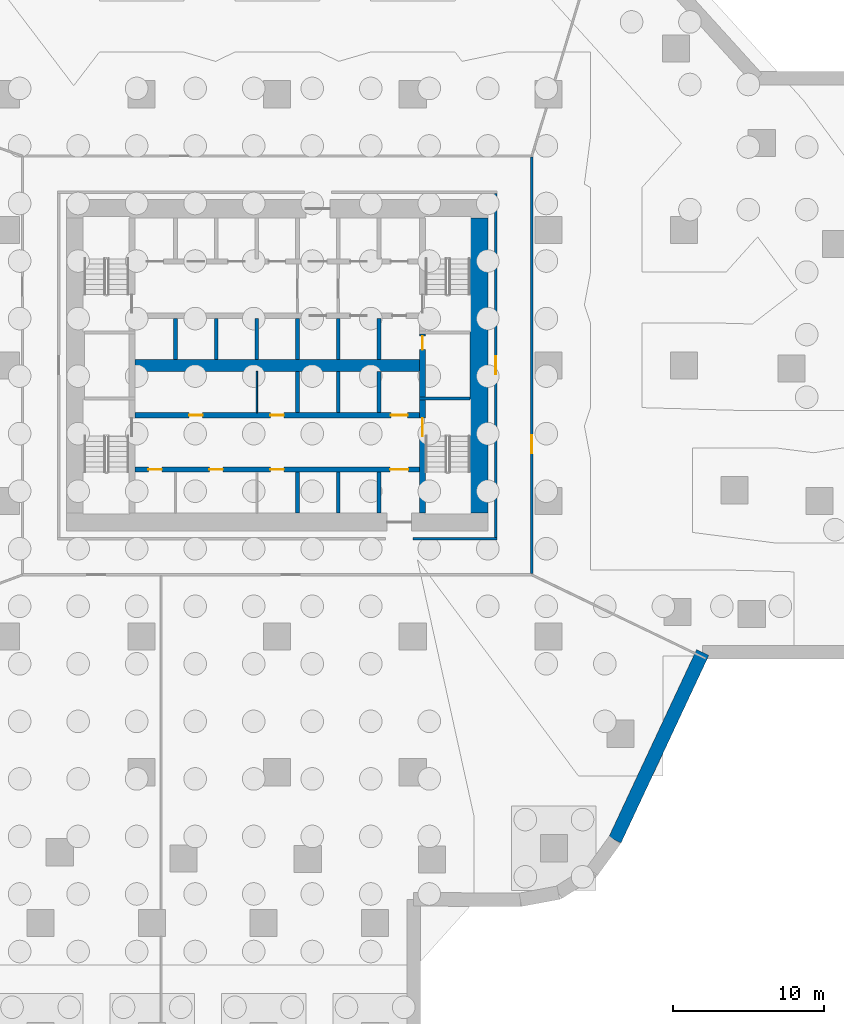
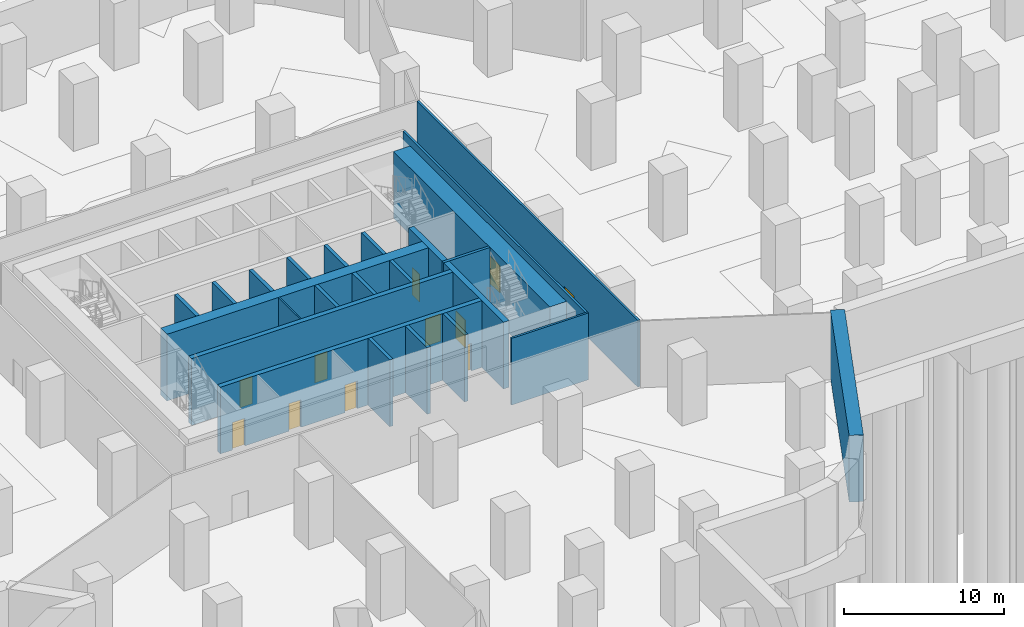
# One storey, part 7 of 12: 24 walls, 11 doors, 11 openings.
"""IFC4 building model written with IfcOpenShell, lengths in metres."""

from ifc_helpers import new_model, si_unit, direction, frame, frame_2d, origin, place, context, subcontext, project, spatial, rectangle, extrude, material, layer, layer_set, type_object, element, fill, save


model = new_model("IFC4")

# Units and contexts
model_context = context("Model", 3, precision=1e-05, world=origin(), true_north=direction((0.0, 1.0)))
body_context = subcontext(model_context, "Body", "Model", "MODEL_VIEW")
ifc_project = project(units=[si_unit("LENGTHUNIT", "METRE"), si_unit("AREAUNIT", "SQUARE_METRE"), si_unit("VOLUMEUNIT", "CUBIC_METRE"), si_unit("PLANEANGLEUNIT", "RADIAN"), si_unit("MASSUNIT", "GRAM", prefix="KILO")], contexts=[model_context])

# Site, building, storey
site_placement = place(None, origin())
site = spatial("IfcSite", under=ifc_project, at=site_placement, CompositionType="ELEMENT")
building_placement = place(site_placement, origin())
building = spatial("IfcBuilding", under=site, at=building_placement, Name="Dongbaek Canopy Tower", CompositionType="ELEMENT")
storey_placement = place(building_placement, frame((0.0, 0.0, -17.0)))
storey = spatial("IfcBuildingStorey", under=building, at=storey_placement, Name="B3", CompositionType="ELEMENT", Elevation=-17.0)

# Wall
ifc_material_1 = material(Name="Concrete C60/75", Category="concrete")
ifc_layer_1 = layer(ifc_material_1, 0.800048828125)
ifc_layer_set_1 = layer_set([ifc_layer_1], Name="Core central wall 800 Concrete C60/75")
wall_type_1 = type_object("IfcWallType", Name="Core central wall 800 Concrete C60/75", PredefinedType="SHEAR", material=ifc_layer_set_1)
wall_1_placement = place(storey_placement, frame((-9.449951171875, 0.0, 0.0), z_axis=(0.0, 0.0, 1.0), x_axis=(1.0, 0.0, 0.0)))
element("IfcWall", 1, at=wall_1_placement, inside=storey, type_object=wall_type_1, Name="Core wall", PredefinedType="SHEAR", context=body_context, shape_type="SweptSolid", body=[
    extrude(rectangle(XDim=18.89990234375, YDim=0.800048828125, at=frame_2d((9.449951171875, 0.0))), origin(), (0.0, 0.0, 1.0), 5.10009765625),
])

# Wall, openings, doors
ifc_material_2 = material(Name="Concrete C60/75", Category="concrete")
ifc_layer_2 = layer(ifc_material_2, 0.35009765625)
ifc_layer_set_2 = layer_set([ifc_layer_2], Name="Core lobby wall 350 Concrete C60/75")
wall_type_2 = type_object("IfcWallType", Name="Core lobby wall 350 Concrete C60/75", PredefinedType="SHEAR", material=ifc_layer_set_2)
wall_2_placement = place(storey_placement, frame((-9.449951171875, -3.300048828125, 0.0), z_axis=(0.0, 0.0, 1.0), x_axis=(1.0, 0.0, 0.0)))
wall_2 = element("IfcWall", 2, at=wall_2_placement, inside=storey, type_object=wall_type_2, Name="Core wall", PredefinedType="SHEAR", context=body_context, shape_type="SweptSolid", body=[
    extrude(rectangle(XDim=18.89990234375, YDim=0.35009765625, at=frame_2d((9.449951171875, 0.0))), origin(), (0.0, 0.0, 1.0), 5.10009765625),
])
opening_1_placement = place(wall_2_placement, frame((17.0, 0.0, 0.0)))
opening_1 = element("IfcOpeningElement", 3, at=opening_1_placement, cuts=wall_2, Name="Opening B3-D020", PredefinedType="OPENING", context=body_context, shape_type="SweptSolid", body=[
    extrude(rectangle(XDim=1.10009765625, YDim=2.10009765625, at=frame_2d((0.550048828125, 1.050048828125))), frame((0.0, 0.18505859375, 0.0), z_axis=(0.0, -1.0, 0.0), x_axis=(1.0, 0.0, 0.0)), (0.0, 0.0, 1.0), 0.3701171875),
])
opening_2_placement = place(wall_2_placement, frame((3.60009765625, 0.0, 0.0)))
opening_2 = element("IfcOpeningElement", 4, at=opening_2_placement, cuts=wall_2, Name="Opening B3-D023", PredefinedType="OPENING", context=body_context, shape_type="SweptSolid", body=[
    extrude(rectangle(XDim=0.89990234375, YDim=2.10009765625, at=frame_2d((0.449951171875, 1.050048828125))), frame((0.0, 0.18505859375, 0.0), z_axis=(0.0, -1.0, 0.0), x_axis=(1.0, 0.0, 0.0)), (0.0, 0.0, 1.0), 0.3701171875),
])
opening_3_placement = place(wall_2_placement, frame((9.0, 0.0, 0.0)))
opening_3 = element("IfcOpeningElement", 5, at=opening_3_placement, cuts=wall_2, Name="Opening B3-D024", PredefinedType="OPENING", context=body_context, shape_type="SweptSolid", body=[
    extrude(rectangle(XDim=0.89990234375, YDim=2.10009765625, at=frame_2d((0.449951171875, 1.050048828125))), frame((0.0, 0.18505859375, 0.0), z_axis=(0.0, -1.0, 0.0), x_axis=(1.0, 0.0, 0.0)), (0.0, 0.0, 1.0), 0.3701171875),
])
ifc_material_3 = material(Name="Steel", Category="steel")
door_type_1 = type_object("IfcDoorType", Name="Core room door 900 x 2100", OperationType="SINGLE_SWING_LEFT", PredefinedType="DOOR", material=ifc_material_3)
door_1_placement = place(opening_2_placement, origin())
door_1 = element("IfcDoor", 6, at=door_1_placement, inside=storey, type_object=door_type_1, Name="Door B3-D023", OperationType="SINGLE_SWING_RIGHT", OverallHeight=2.10009765625, OverallWidth=0.89990234375, PredefinedType="DOOR", context=body_context, shape_type="SweptSolid", body=[
    extrude(rectangle(XDim=0.89990234375, YDim=2.10009765625, at=frame_2d((0.449951171875, 1.050048828125))), frame((0.0, 0.02490234375, 0.0), z_axis=(0.0, -1.0, 0.0), x_axis=(1.0, 0.0, 0.0)), (0.0, 0.0, 1.0), 0.050048828125),
])
fill(opening_2, door_1)
door_2_placement = place(opening_3_placement, origin())
door_2 = element("IfcDoor", 7, at=door_2_placement, inside=storey, type_object=door_type_1, Name="Door B3-D024", OperationType="SINGLE_SWING_LEFT", OverallHeight=2.10009765625, OverallWidth=0.89990234375, PredefinedType="DOOR", context=body_context, shape_type="SweptSolid", body=[
    extrude(rectangle(XDim=0.89990234375, YDim=2.10009765625, at=frame_2d((0.449951171875, 1.050048828125))), frame((0.0, 0.02490234375, 0.0), z_axis=(0.0, -1.0, 0.0), x_axis=(1.0, 0.0, 0.0)), (0.0, 0.0, 1.0), 0.050048828125),
])
fill(opening_3, door_2)
ifc_material_4 = material(Name="Stainless steel", Category="steel")
door_type_2 = type_object("IfcDoorType", Name="Lift landing door 1100 x 2100", OperationType="DOUBLE_DOOR_SLIDING", PredefinedType="DOOR", material=ifc_material_4)
door_3_placement = place(opening_1_placement, origin())
door_3 = element("IfcDoor", 8, at=door_3_placement, inside=storey, type_object=door_type_2, Name="Landing door SV2", OperationType="DOUBLE_DOOR_SLIDING", OverallHeight=2.10009765625, OverallWidth=1.10009765625, PredefinedType="DOOR", context=body_context, shape_type="SweptSolid", body=[
    extrude(rectangle(XDim=1.10009765625, YDim=2.10009765625, at=frame_2d((0.550048828125, 1.050048828125))), frame((0.0, 0.02490234375, 0.0), z_axis=(0.0, -1.0, 0.0), x_axis=(1.0, 0.0, 0.0)), (0.0, 0.0, 1.0), 0.050048828125),
])
fill(opening_1, door_3)

wall_3_placement = place(storey_placement, frame((9.449951171875, -6.89990234375, 0.0), z_axis=(0.0, 0.0, 1.0), x_axis=(-1.0, 0.0, 0.0)))
wall_3 = element("IfcWall", 9, at=wall_3_placement, inside=storey, type_object=wall_type_2, Name="Core wall", PredefinedType="SHEAR", context=body_context, shape_type="SweptSolid", body=[
    extrude(rectangle(XDim=18.89990234375, YDim=0.35009765625, at=frame_2d((9.449951171875, 0.0))), origin(), (0.0, 0.0, 1.0), 5.10009765625),
])
opening_4_placement = place(wall_3_placement, frame((0.75, 0.0, 0.0)))
opening_4 = element("IfcOpeningElement", 10, at=opening_4_placement, cuts=wall_3, Name="Opening B3-D022", PredefinedType="OPENING", context=body_context, shape_type="SweptSolid", body=[
    extrude(rectangle(XDim=1.199951171875, YDim=2.10009765625, at=frame_2d((0.60009765625, 1.050048828125))), frame((0.0, 0.18505859375, 0.0), z_axis=(0.0, -1.0, 0.0), x_axis=(1.0, 0.0, 0.0)), (0.0, 0.0, 1.0), 0.3701171875),
])
opening_5_placement = place(wall_3_placement, frame((17.10009765625, 0.0, 0.0)))
opening_5 = element("IfcOpeningElement", 11, at=opening_5_placement, cuts=wall_3, Name="Opening B3-D025", PredefinedType="OPENING", context=body_context, shape_type="SweptSolid", body=[
    extrude(rectangle(XDim=0.89990234375, YDim=2.10009765625, at=frame_2d((0.449951171875, 1.050048828125))), frame((0.0, 0.18505859375, 0.0), z_axis=(0.0, -1.0, 0.0), x_axis=(1.0, 0.0, 0.0)), (0.0, 0.0, 1.0), 0.3701171875),
])
opening_6_placement = place(wall_3_placement, frame((13.050048828125, 0.0, 0.0)))
opening_6 = element("IfcOpeningElement", 12, at=opening_6_placement, cuts=wall_3, Name="Opening B3-D026", PredefinedType="OPENING", context=body_context, shape_type="SweptSolid", body=[
    extrude(rectangle(XDim=0.89990234375, YDim=2.10009765625, at=frame_2d((0.449951171875, 1.050048828125))), frame((0.0, 0.18505859375, 0.0), z_axis=(0.0, -1.0, 0.0), x_axis=(1.0, 0.0, 0.0)), (0.0, 0.0, 1.0), 0.3701171875),
])
opening_7_placement = place(wall_3_placement, frame((9.0, 0.0, 0.0)))
opening_7 = element("IfcOpeningElement", 13, at=opening_7_placement, cuts=wall_3, Name="Opening B3-D027", PredefinedType="OPENING", context=body_context, shape_type="SweptSolid", body=[
    extrude(rectangle(XDim=0.89990234375, YDim=2.10009765625, at=frame_2d((0.449951171875, 1.050048828125))), frame((0.0, 0.18505859375, 0.0), z_axis=(0.0, -1.0, 0.0), x_axis=(1.0, 0.0, 0.0)), (0.0, 0.0, 1.0), 0.3701171875),
])
door_4_placement = place(opening_5_placement, origin())
door_4 = element("IfcDoor", 14, at=door_4_placement, inside=storey, type_object=door_type_1, Name="Door B3-D025", OperationType="SINGLE_SWING_RIGHT", OverallHeight=2.10009765625, OverallWidth=0.89990234375, PredefinedType="DOOR", context=body_context, shape_type="SweptSolid", body=[
    extrude(rectangle(XDim=0.89990234375, YDim=2.10009765625, at=frame_2d((0.449951171875, 1.050048828125))), frame((0.0, 0.02490234375, 0.0), z_axis=(0.0, -1.0, 0.0), x_axis=(1.0, 0.0, 0.0)), (0.0, 0.0, 1.0), 0.050048828125),
])
fill(opening_5, door_4)
door_5_placement = place(opening_6_placement, origin())
door_5 = element("IfcDoor", 15, at=door_5_placement, inside=storey, type_object=door_type_1, Name="Door B3-D026", OperationType="SINGLE_SWING_LEFT", OverallHeight=2.10009765625, OverallWidth=0.89990234375, PredefinedType="DOOR", context=body_context, shape_type="SweptSolid", body=[
    extrude(rectangle(XDim=0.89990234375, YDim=2.10009765625, at=frame_2d((0.449951171875, 1.050048828125))), frame((0.0, 0.02490234375, 0.0), z_axis=(0.0, -1.0, 0.0), x_axis=(1.0, 0.0, 0.0)), (0.0, 0.0, 1.0), 0.050048828125),
])
fill(opening_6, door_5)
door_6_placement = place(opening_7_placement, origin())
door_6 = element("IfcDoor", 16, at=door_6_placement, inside=storey, type_object=door_type_1, Name="Door B3-D027", OperationType="SINGLE_SWING_RIGHT", OverallHeight=2.10009765625, OverallWidth=0.89990234375, PredefinedType="DOOR", context=body_context, shape_type="SweptSolid", body=[
    extrude(rectangle(XDim=0.89990234375, YDim=2.10009765625, at=frame_2d((0.449951171875, 1.050048828125))), frame((0.0, 0.02490234375, 0.0), z_axis=(0.0, -1.0, 0.0), x_axis=(1.0, 0.0, 0.0)), (0.0, 0.0, 1.0), 0.050048828125),
])
fill(opening_7, door_6)
ifc_material_5 = material(Name="Steel", Category="steel")
door_type_3 = type_object("IfcDoorType", Name="Fire lobby door 1200 x 2100", OperationType="SINGLE_SWING_LEFT", PredefinedType="DOOR", material=ifc_material_5)
door_7_placement = place(opening_4_placement, origin())
door_7 = element("IfcDoor", 17, at=door_7_placement, inside=storey, type_object=door_type_3, Name="Door B3-D022", OperationType="SINGLE_SWING_LEFT", OverallHeight=2.10009765625, OverallWidth=1.199951171875, PredefinedType="DOOR", context=body_context, shape_type="SweptSolid", body=[
    extrude(rectangle(XDim=1.199951171875, YDim=2.10009765625, at=frame_2d((0.60009765625, 1.050048828125))), frame((0.0, 0.02490234375, 0.0), z_axis=(0.0, -1.0, 0.0), x_axis=(1.0, 0.0, 0.0)), (0.0, 0.0, 1.0), 0.050048828125),
])
fill(opening_4, door_7)

# Walls
ifc_material_6 = material(Name="Concrete C60/75", Category="concrete")
ifc_layer_3 = layer(ifc_material_6, 1.199951171875)
ifc_layer_set_3 = layer_set([ifc_layer_3], Name="Core outer wall 1200 Concrete C60/75")
wall_type_3 = type_object("IfcWallType", Name="Core outer wall 1200 Concrete C60/75", PredefinedType="SHEAR", material=ifc_layer_set_3)
wall_4_placement = place(storey_placement, frame((13.39990234375, 9.800048828125, 0.0), z_axis=(0.0, 0.0, 1.0), x_axis=(0.0, -1.0, 0.0)))
element("IfcWall", 18, at=wall_4_placement, inside=storey, type_object=wall_type_3, Name="Core wall", PredefinedType="SHEAR", context=body_context, shape_type="SweptSolid", body=[
    extrude(rectangle(XDim=19.60009765625, YDim=1.199951171875, at=frame_2d((9.800048828125, 0.0))), origin(), (0.0, 0.0, 1.0), 5.10009765625),
])
ifc_material_7 = material(Name="Gypsum board partition, steel stud, 2 x 15 mm fire board", Category="steel")
ifc_layer_4 = layer(ifc_material_7, 0.14990234375)
ifc_layer_set_4 = layer_set([ifc_layer_4], Name="Fire-rated partition 150 gypsum board")
wall_type_4 = type_object("IfcWallType", Name="Fire-rated partition 150 gypsum board", PredefinedType="PARTITIONING", material=ifc_layer_set_4)
wall_5_placement = place(storey_placement, frame((9.0, -11.5, 0.0), z_axis=(0.0, 0.0, 1.0), x_axis=(1.0, 0.0, 0.0)))
element("IfcWall", 19, at=wall_5_placement, inside=storey, type_object=wall_type_4, Name="Corridor partition", PredefinedType="PARTITIONING", context=body_context, shape_type="SweptSolid", body=[
    extrude(rectangle(XDim=5.574951171875, YDim=0.14990234375, at=frame_2d((2.78759765625, 0.0))), origin(), (0.0, 0.0, 1.0), 5.10009765625),
])

# Wall, opening, door
wall_6_placement = place(storey_placement, frame((16.89990234375, 13.824951171875, 0.0), z_axis=(0.0, 0.0, 1.0), x_axis=(0.0, -1.0, 0.0)))
wall_6 = element("IfcWall", 20, at=wall_6_placement, inside=storey, type_object=wall_type_4, Name="Corridor partition", PredefinedType="PARTITIONING", context=body_context, shape_type="SweptSolid", body=[
    extrude(rectangle(XDim=27.64990234375, YDim=0.14990234375, at=frame_2d((13.824951171875, 0.0))), origin(), (0.0, 0.0, 1.0), 5.10009765625),
])
opening_8_placement = place(wall_6_placement, frame((18.445068359375, 0.0, 0.0)))
opening_8 = element("IfcOpeningElement", 21, at=opening_8_placement, cuts=wall_6, Name="Opening B3-D004", PredefinedType="OPENING", context=body_context, shape_type="SweptSolid", body=[
    extrude(rectangle(XDim=1.199951171875, YDim=2.10009765625, at=frame_2d((0.60009765625, 1.050048828125))), frame((0.0, 0.0849609375, 0.0), z_axis=(0.0, -1.0, 0.0), x_axis=(1.0, 0.0, 0.0)), (0.0, 0.0, 1.0), 0.169921875),
])
ifc_material_8 = material(Name="Timber veneered door leaf", Category="wood")
door_type_4 = type_object("IfcDoorType", Name="Room door 1200 x 2100", OperationType="SINGLE_SWING_LEFT", PredefinedType="DOOR", material=ifc_material_8)
door_8_placement = place(opening_8_placement, origin())
door_8 = element("IfcDoor", 22, at=door_8_placement, inside=storey, type_object=door_type_4, Name="Door B3-D004", OperationType="SINGLE_SWING_LEFT", OverallHeight=2.10009765625, OverallWidth=1.199951171875, PredefinedType="DOOR", context=body_context, shape_type="SweptSolid", body=[
    extrude(rectangle(XDim=1.199951171875, YDim=2.10009765625, at=frame_2d((0.60009765625, 1.050048828125))), frame((0.0, 0.02490234375, 0.0), z_axis=(0.0, -1.0, 0.0), x_axis=(1.0, 0.0, 0.0)), (0.0, 0.0, 1.0), 0.050048828125),
])
fill(opening_8, door_8)

wall_7_placement = place(storey_placement, frame((14.5, -11.425048828125, 0.0), z_axis=(0.0, 0.0, 1.0), x_axis=(0.0, 1.0, 0.0)))
wall_7 = element("IfcWall", 23, at=wall_7_placement, inside=storey, type_object=wall_type_4, Name="Corridor partition", PredefinedType="PARTITIONING", context=body_context, shape_type="SweptSolid", body=[
    extrude(rectangle(XDim=22.85009765625, YDim=0.14990234375, at=frame_2d((11.425048828125, 0.0))), origin(), (0.0, 0.0, 1.0), 5.10009765625),
])
opening_9_placement = place(wall_7_placement, frame((10.824951171875, 0.0, 0.0)))
opening_9 = element("IfcOpeningElement", 24, at=opening_9_placement, cuts=wall_7, Name="Opening B3-D007", PredefinedType="OPENING", context=body_context, shape_type="SweptSolid", body=[
    extrude(rectangle(XDim=1.199951171875, YDim=2.10009765625, at=frame_2d((0.60009765625, 1.050048828125))), frame((0.0, 0.0849609375, 0.0), z_axis=(0.0, -1.0, 0.0), x_axis=(1.0, 0.0, 0.0)), (0.0, 0.0, 1.0), 0.169921875),
])
door_9_placement = place(opening_9_placement, origin())
door_9 = element("IfcDoor", 25, at=door_9_placement, inside=storey, type_object=door_type_4, Name="Door B3-D007", OperationType="SINGLE_SWING_RIGHT", OverallHeight=2.10009765625, OverallWidth=1.199951171875, PredefinedType="DOOR", context=body_context, shape_type="SweptSolid", body=[
    extrude(rectangle(XDim=1.199951171875, YDim=2.10009765625, at=frame_2d((0.60009765625, 1.050048828125))), frame((0.0, 0.02490234375, 0.0), z_axis=(0.0, -1.0, 0.0), x_axis=(1.0, 0.0, 0.0)), (0.0, 0.0, 1.0), 0.050048828125),
])
fill(opening_9, door_9)

# Walls
ifc_material_9 = material(Name="Concrete C60/75", Category="concrete")
ifc_layer_5 = layer(ifc_material_9, 0.25)
ifc_layer_set_5 = layer_set([ifc_layer_5], Name="Lift pit wall 250 Concrete C60/75")
wall_type_5 = type_object("IfcWallType", Name="Lift pit wall 250 Concrete C60/75", PredefinedType="SHEAR", material=ifc_layer_set_5)
for number, where, z_axis, x_axis, name in (
    (26, (6.75, -9.800048828125, 0.0), (0.0, 0.0, 1.0), (0.0, 1.0, 0.0), "Lift pit wall"),
    (27, (6.75, -3.125, 0.0), (0.0, 0.0, 1.0), (0.0, 1.0, 0.0), "Lift pit wall"),
    (28, (4.050048828125, -9.800048828125, 0.0), (0.0, 0.0, 1.0), (0.0, 1.0, 0.0), "Lift pit wall"),
    (29, (4.050048828125, -3.125, 0.0), (0.0, 0.0, 1.0), (0.0, 1.0, 0.0), "Lift pit wall"),
    (30, (1.35009765625, -9.800048828125, 0.0), (0.0, 0.0, 1.0), (0.0, 1.0, 0.0), "Lift pit wall"),
    (31, (1.35009765625, -3.125, 0.0), (0.0, 0.0, 1.0), (0.0, 1.0, 0.0), "Lift pit wall"),
    (32, (1.35009765625, 0.39990234375, 0.0), (0.0, 0.0, 1.0), (0.0, 1.0, 0.0), "Lift pit wall"),
    (33, (-1.35009765625, 0.39990234375, 0.0), (0.0, 0.0, 1.0), (0.0, 1.0, 0.0), "Lift pit wall"),
    (34, (-4.050048828125, 0.39990234375, 0.0), (0.0, 0.0, 1.0), (0.0, 1.0, 0.0), "Lift pit wall"),
    (35, (-6.75, 0.39990234375, 0.0), (0.0, 0.0, 1.0), (0.0, 1.0, 0.0), "Lift pit wall"),
):
    element("IfcWall", number, at=place(storey_placement, frame(where, z_axis=z_axis, x_axis=x_axis)), inside=storey, type_object=wall_type_5, Name=name, PredefinedType="SHEAR", context=body_context, shape_type="SweptSolid", body=[
        extrude(rectangle(XDim=2.72509765625, YDim=0.25, at=frame_2d((1.362548828125, 0.0))), origin(), (0.0, 0.0, 1.0), 5.10009765625),
    ])
ifc_material_10 = material(Name="Concrete C40/50", Category="concrete")
ifc_layer_6 = layer(ifc_material_10, 0.25)
ifc_layer_set_6 = layer_set([ifc_layer_6], Name="Lift shaft wall 250 Concrete C40/50")
wall_type_6 = type_object("IfcWallType", Name="Lift shaft wall 250 Concrete C40/50", PredefinedType="SOLIDWALL", material=ifc_layer_set_6)
for number, where, z_axis, x_axis, name in (
    (36, (6.75, 0.39990234375, 0.0), (0.0, 0.0, 1.0), (0.0, 1.0, 0.0), "Lift shaft wall"),
    (37, (4.050048828125, 0.39990234375, 0.0), (0.0, 0.0, 1.0), (0.0, 1.0, 0.0), "Lift shaft wall"),
):
    element("IfcWall", number, at=place(storey_placement, frame(where, z_axis=z_axis, x_axis=x_axis)), inside=storey, type_object=wall_type_6, Name=name, PredefinedType="SOLIDWALL", context=body_context, shape_type="SweptSolid", body=[
        extrude(rectangle(XDim=2.72509765625, YDim=0.25, at=frame_2d((1.362548828125, 0.0))), origin(), (0.0, 0.0, 1.0), 5.10009765625),
    ])
ifc_material_11 = material(Name="Gypsum board partition, steel stud, 2 x 12.5 mm board", Category="steel")
ifc_layer_7 = layer(ifc_material_11, 0.10009765625)
ifc_layer_set_7 = layer_set([ifc_layer_7], Name="Partition 100 gypsum board")
wall_type_7 = type_object("IfcWallType", Name="Partition 100 gypsum board", PredefinedType="PARTITIONING", material=ifc_layer_set_7)
wall_8_placement = place(storey_placement, frame((-1.35009765625, -3.125, 0.0), z_axis=(0.0, 0.0, 1.0), x_axis=(0.0, 1.0, 0.0)))
element("IfcWall", 38, at=wall_8_placement, inside=storey, type_object=wall_type_7, Name="Core partition", PredefinedType="PARTITIONING", context=body_context, shape_type="SweptSolid", body=[
    extrude(rectangle(XDim=2.72509765625, YDim=0.10009765625, at=frame_2d((1.362548828125, 0.0))), origin(), (0.0, 0.0, 1.0), 5.10009765625),
])
ifc_material_12 = material(Name="Concrete C40", Category="concrete")
ifc_layer_8 = layer(ifc_material_12, 0.89990234375)
ifc_layer_set_8 = layer_set([ifc_layer_8], Name="RC RETAINING WALL 900 Concrete C40")
wall_type_8 = type_object("IfcWallType", Name="RC RETAINING WALL 900 Concrete C40", PredefinedType="SHEAR", material=ifc_layer_set_8)
wall_9_placement = place(storey_placement, frame((28.243896484375, -19.050048828125, 0.0), z_axis=(0.0, 0.0, 1.0), x_axis=(-0.424123010069, -0.905604589393, 0.0)))
element("IfcWall", 39, at=wall_9_placement, inside=storey, type_object=wall_type_8, Name="RWALL:B3:19", PredefinedType="SHEAR", context=body_context, shape_type="SweptSolid", body=[
    extrude(rectangle(XDim=13.743896484375, YDim=0.89990234375, at=frame_2d((6.8720703125, 0.0))), origin(), (0.0, 0.0, 1.0), 5.10009765625),
])
ifc_material_13 = material(Name="Concrete C60/75", Category="concrete")
ifc_layer_9 = layer(ifc_material_13, 0.199951171875)
ifc_layer_set_9 = layer_set([ifc_layer_9], Name="Riser wall 200 Concrete C60/75")
wall_type_9 = type_object("IfcWallType", Name="Riser wall 200 Concrete C60/75", PredefinedType="SHEAR", material=ifc_layer_set_9)
wall_10_placement = place(storey_placement, frame((9.449951171875, -2.199951171875, 0.0), z_axis=(0.0, 0.0, 1.0), x_axis=(1.0, 0.0, 0.0)))
element("IfcWall", 40, at=wall_10_placement, inside=storey, type_object=wall_type_9, Name="Riser wall", PredefinedType="SHEAR", context=body_context, shape_type="SweptSolid", body=[
    extrude(rectangle(XDim=3.35009765625, YDim=0.199951171875, at=frame_2d((1.675048828125, 0.0))), origin(), (0.0, 0.0, 1.0), 5.10009765625),
])

# Wall, opening, door
ifc_material_14 = material(Name="Concrete C60/75", Category="concrete")
ifc_layer_10 = layer(ifc_material_14, 0.39990234375)
ifc_layer_set_10 = layer_set([ifc_layer_10], Name="Stair wall 400 Concrete C60/75")
wall_type_10 = type_object("IfcWallType", Name="Stair wall 400 Concrete C60/75", PredefinedType="SHEAR", material=ifc_layer_set_10)
wall_11_placement = place(storey_placement, frame((9.64990234375, -2.300048828125, 0.0), z_axis=(0.0, 0.0, 1.0), x_axis=(0.0, -1.0, 0.0)))
wall_11 = element("IfcWall", 41, at=wall_11_placement, inside=storey, type_object=wall_type_10, Name="Stair wall", PredefinedType="SHEAR", context=body_context, shape_type="SweptSolid", body=[
    extrude(rectangle(XDim=7.5, YDim=0.39990234375, at=frame_2d((3.75, 0.0))), origin(), (0.0, 0.0, 1.0), 5.10009765625),
])
opening_10_placement = place(wall_11_placement, frame((1.199951171875, 0.0, 0.0)))
opening_10 = element("IfcOpeningElement", 42, at=opening_10_placement, cuts=wall_11, Name="Opening B3-D030", PredefinedType="OPENING", context=body_context, shape_type="SweptSolid", body=[
    extrude(rectangle(XDim=1.199951171875, YDim=2.10009765625, at=frame_2d((0.60009765625, 1.050048828125))), frame((0.0, 0.2099609375, 0.0), z_axis=(0.0, -1.0, 0.0), x_axis=(1.0, 0.0, 0.0)), (0.0, 0.0, 1.0), 0.419921875),
])
ifc_material_15 = material(Name="Steel", Category="steel")
door_type_5 = type_object("IfcDoorType", Name="Stair door 1200 x 2100", OperationType="SINGLE_SWING_LEFT", PredefinedType="DOOR", material=ifc_material_15)
door_10_placement = place(opening_10_placement, origin())
door_10 = element("IfcDoor", 43, at=door_10_placement, inside=storey, type_object=door_type_5, Name="Stair B door", OperationType="SINGLE_SWING_RIGHT", OverallHeight=2.10009765625, OverallWidth=1.199951171875, PredefinedType="DOOR", context=body_context, shape_type="SweptSolid", body=[
    extrude(rectangle(XDim=1.199951171875, YDim=2.10009765625, at=frame_2d((0.60009765625, 1.050048828125))), frame((0.0, 0.02490234375, 0.0), z_axis=(0.0, -1.0, 0.0), x_axis=(1.0, 0.0, 0.0)), (0.0, 0.0, 1.0), 0.050048828125),
])
fill(opening_10, door_10)

wall_12_placement = place(storey_placement, frame((9.64990234375, 2.10009765625, 0.0), z_axis=(0.0, 0.0, 1.0), x_axis=(0.0, -1.0, 0.0)))
wall_12 = element("IfcWall", 44, at=wall_12_placement, inside=storey, type_object=wall_type_10, Name="Stair wall", PredefinedType="SHEAR", context=body_context, shape_type="SweptSolid", body=[
    extrude(rectangle(XDim=4.2001953125, YDim=0.39990234375, at=frame_2d((2.10009765625, 0.0))), origin(), (0.0, 0.0, 1.0), 5.10009765625),
])
opening_11_placement = place(wall_12_placement, frame((0.14990234375, 0.0, 0.0)))
opening_11 = element("IfcOpeningElement", 45, at=opening_11_placement, cuts=wall_12, Name="Opening B3-D008", PredefinedType="OPENING", context=body_context, shape_type="SweptSolid", body=[
    extrude(rectangle(XDim=0.89990234375, YDim=2.10009765625, at=frame_2d((0.449951171875, 1.050048828125))), frame((0.0, 0.2099609375, 0.0), z_axis=(0.0, -1.0, 0.0), x_axis=(1.0, 0.0, 0.0)), (0.0, 0.0, 1.0), 0.419921875),
])
door_11_placement = place(opening_11_placement, origin())
door_11 = element("IfcDoor", 46, at=door_11_placement, inside=storey, type_object=door_type_1, Name="Door B3-D008", OperationType="SINGLE_SWING_RIGHT", OverallHeight=2.10009765625, OverallWidth=0.89990234375, PredefinedType="DOOR", context=body_context, shape_type="SweptSolid", body=[
    extrude(rectangle(XDim=0.89990234375, YDim=2.10009765625, at=frame_2d((0.449951171875, 1.050048828125))), frame((0.0, 0.02490234375, 0.0), z_axis=(0.0, -1.0, 0.0), x_axis=(1.0, 0.0, 0.0)), (0.0, 0.0, 1.0), 0.050048828125),
])
fill(opening_11, door_11)

save(model, "model.ifc")
